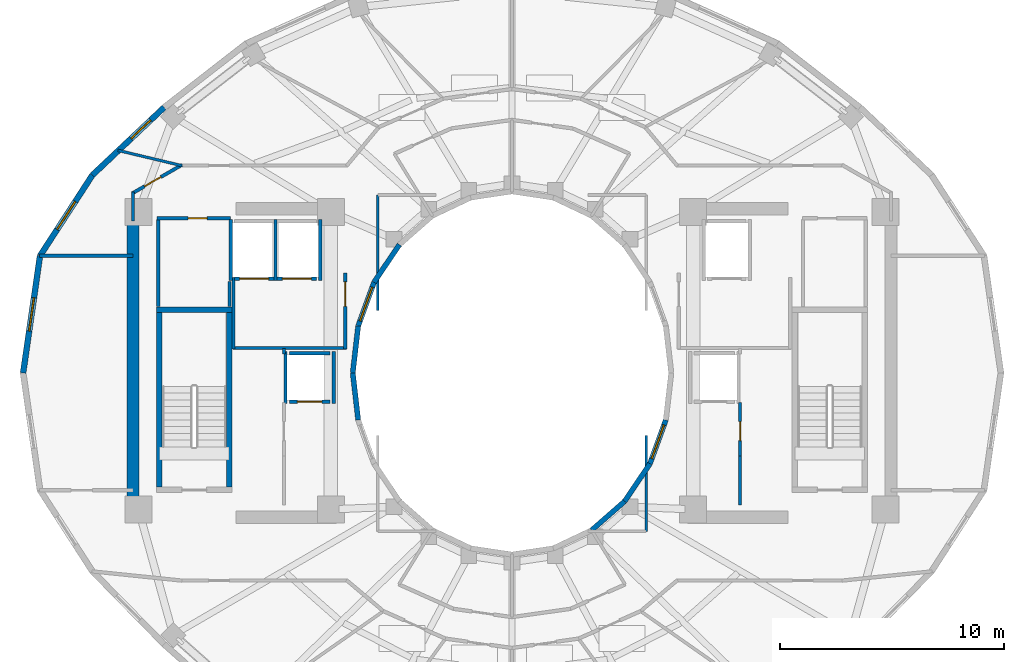
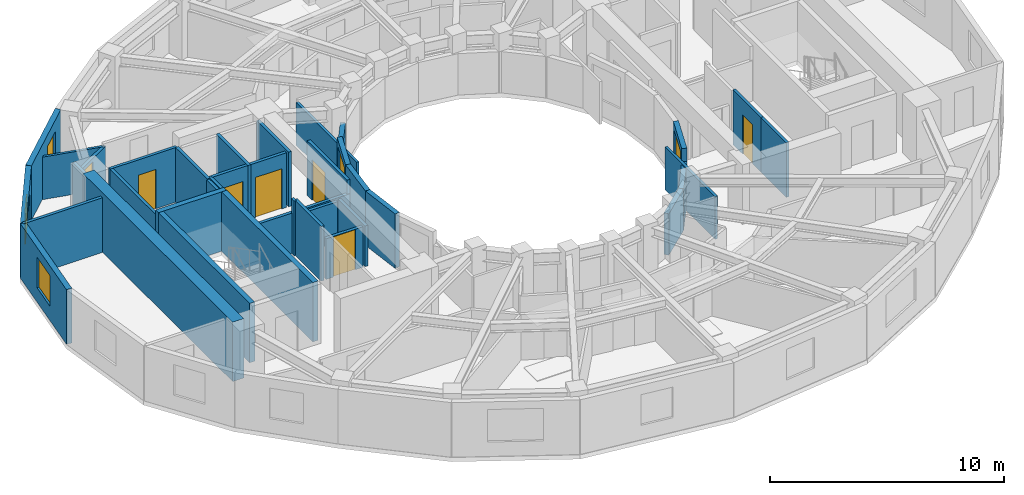
# One storey, part 4 of 9: 38 walls, 7 doors, 5 windows, 12 openings.
"""IFC4 building model written with IfcOpenShell, lengths in metres."""

import ifcopenshell
import ifcopenshell.guid

model = None  # the IFC model being written
_history = None  # IfcOwnerHistory: only IFC2X3 demands one
_inside = {}  # id of a spatial element -> (the spatial element, [elements in it])
_under = {}  # id of a project, library or spatial element -> (it, [spatial elements below it])
_declared = {}  # id of a project -> (the project, [libraries it declares])
_typed = {}  # id of a type object -> (the type object, [elements of that type])
_made_of = {}  # id of a material, layer set ... -> (it, [elements and type objects made of it])


def new_model(schema):
    """Start an empty IFC model of exactly this schema.

    Asked for "IFC4X3", IfcOpenShell would pick the latest addendum, in which some entities
    have other attributes; the version numbers below select the first issue.
    IFC2X3 requires an IfcOwnerHistory on every rooted entity: one is made here for all.
    """
    global model, _history
    if schema == "IFC4X3":
        model = ifcopenshell.file(schema_version=(4, 3, 0, 0))
    else:
        model = ifcopenshell.file(schema=schema)
    _inside.clear()
    _under.clear()
    _declared.clear()
    _typed.clear()
    _made_of.clear()
    _history = None
    if model.schema == "IFC2X3":
        org = make("IfcOrganization", Name="unknown")
        user = make(
            "IfcPersonAndOrganization",
            ThePerson=make("IfcPerson", FamilyName="unknown"),
            TheOrganization=org,
        )
        app = make(
            "IfcApplication",
            ApplicationDeveloper=org,
            Version="unknown",
            ApplicationFullName="unknown",
            ApplicationIdentifier="unknown",
        )
        _history = make(
            "IfcOwnerHistory",
            OwningUser=user,
            OwningApplication=app,
            ChangeAction="ADDED",
            CreationDate=0,
        )
    return model


def make(cls, **values):
    """One entity of the class cls with the attributes given. An attribute that is None is left unset."""
    return model.create_entity(
        cls, **{name: value for name, value in values.items() if value is not None}
    )


def rooted(cls, **values):
    """An entity with a GlobalId (a new one), such as an element, a storey or a relation."""
    return make(cls, GlobalId=ifcopenshell.guid.new(), OwnerHistory=_history, **values)


def si_unit(unit_type, name, prefix=None):
    """IfcSIUnit, for example si_unit("LENGTHUNIT", "METRE", prefix="MILLI")."""
    return make("IfcSIUnit", UnitType=unit_type, Prefix=prefix, Name=name)


def assignment(units):
    """IfcUnitAssignment: the units of a project."""
    return None if units is None else make("IfcUnitAssignment", Units=units)


def point(xyz):
    """IfcCartesianPoint."""
    return None if xyz is None else make("IfcCartesianPoint", Coordinates=xyz)


def direction(xyz):
    """IfcDirection."""
    return None if xyz is None else make("IfcDirection", DirectionRatios=xyz)


def frame(location, z_axis=None, x_axis=None):
    """IfcAxis2Placement3D, a coordinate frame: its origin and axes. An axis left out is left unset."""
    return make(
        "IfcAxis2Placement3D",
        Location=point(location),
        Axis=direction(z_axis),
        RefDirection=direction(x_axis),
    )


def frame_2d(location, x_axis=None):
    """IfcAxis2Placement2D, a coordinate frame in the plane: its origin and x axis."""
    return make(
        "IfcAxis2Placement2D", Location=point(location), RefDirection=direction(x_axis)
    )


def origin():
    """The frame at (0, 0, 0) with its axes left unset."""
    return frame((0.0, 0.0, 0.0))


def place(relative_to, where):
    """IfcLocalPlacement: puts the frame where relative to a parent placement (None: the world)."""
    return make(
        "IfcLocalPlacement", PlacementRelTo=relative_to, RelativePlacement=where
    )


def context(
    kind, dimensions, precision=None, world=None, true_north=None, identifier=None
):
    """IfcGeometricRepresentationContext, for example the 3D "Model" context."""
    return make(
        "IfcGeometricRepresentationContext",
        ContextIdentifier=identifier,
        ContextType=kind,
        CoordinateSpaceDimension=dimensions,
        Precision=precision,
        WorldCoordinateSystem=world,
        TrueNorth=true_north,
    )


def subcontext(parent, identifier, kind, view, scale=None):
    """IfcGeometricRepresentationSubContext, for example "Body" below "Model"."""
    return make(
        "IfcGeometricRepresentationSubContext",
        ContextIdentifier=identifier,
        ContextType=kind,
        ParentContext=parent,
        TargetScale=scale,
        TargetView=view,
    )


def project(units=None, contexts=None):
    """IfcProject with its units and contexts."""
    return rooted(
        "IfcProject",
        Name="project",
        RepresentationContexts=contexts,
        UnitsInContext=assignment(units),
    )


def spatial(cls, under=None, at=None, **own):
    """A site, building, storey or space (cls), placed at a placement, below another one or the project."""
    s = rooted(cls, ObjectPlacement=at, **own)
    if under is not None:
        _under.setdefault(under.id(), (under, []))[1].append(s)
    return s


def profile(cls, at=None, kind="AREA", **sizes):
    """A parametric profile (cls). Its sizes go by their IFC names, for example OverallWidth=200.0."""
    return make(cls, ProfileType=kind, Position=at, **sizes)


def rectangle(**sizes):
    """IfcRectangleProfileDef."""
    return profile("IfcRectangleProfileDef", **sizes)


def extrude(swept, where, along, depth):
    """IfcExtrudedAreaSolid: the profile swept, set in the frame where, extruded along a direction by depth."""
    return make(
        "IfcExtrudedAreaSolid",
        SweptArea=swept,
        Position=where,
        ExtrudedDirection=direction(along),
        Depth=depth,
    )


def shape(context_of_items, identifier, shape_type, items):
    """IfcShapeRepresentation: the items that make up one representation, for example the "Body"."""
    return make(
        "IfcShapeRepresentation",
        ContextOfItems=context_of_items,
        RepresentationIdentifier=identifier,
        RepresentationType=shape_type,
        Items=items,
    )


def material(Name=None, Category=None):
    """IfcMaterial."""
    return make("IfcMaterial", Name=Name, Category=Category)


def layer(
    of_material, thickness, ventilated=None, Name=None, Category=None, Priority=None
):
    """IfcMaterialLayer: one layer of a wall or slab, of a material (None: an air gap)."""
    return make(
        "IfcMaterialLayer",
        Material=of_material,
        LayerThickness=thickness,
        IsVentilated=ventilated,
        Name=Name,
        Category=Category,
        Priority=Priority,
    )


def layer_set(layers, Name=None):
    """IfcMaterialLayerSet."""
    return make("IfcMaterialLayerSet", MaterialLayers=layers, LayerSetName=Name)


def made_of(thing, what):
    """Note that an element or type object is made of a material, layer set ...; save() writes the relation."""
    if what is not None:
        _made_of.setdefault(what.id(), (what, []))[1].append(thing)
    return thing


def type_object(cls, material=None, **own):
    """A type object (cls), such as IfcWallType, which elements share."""
    return made_of(rooted(cls, **own), material)


def element(
    cls,
    number,
    at=None,
    inside=None,
    cuts=None,
    type_object=None,
    material=None,
    context=None,
    identifier="Body",
    shape_type=None,
    held_by="IfcProductDefinitionShape",
    body=None,
    shapes=None,
    **own,
):
    """One element of the class cls, such as IfcWall. Its Tag is "e" and its number.

    at: its placement. inside: the storey or other place that contains it. cuts: it is an
    opening in that element (IfcRelVoidsElement). A single representation is given by context,
    identifier, shape_type and body (its items); several are given by shapes. held_by: the class
    of the entity that holds the representations. save() writes the other relations.
    """
    e = rooted(cls, Tag="e%d" % number, ObjectPlacement=at, **own)
    if body is not None:
        shapes = [shape(context, identifier, shape_type, body)]
    if shapes is not None:
        e.Representation = make(held_by, Representations=shapes)
    if inside is not None:
        _inside.setdefault(inside.id(), (inside, []))[1].append(e)
    if cuts is not None:
        rooted(
            "IfcRelVoidsElement", RelatingBuildingElement=cuts, RelatedOpeningElement=e
        )
    if type_object is not None:
        _typed.setdefault(type_object.id(), (type_object, []))[1].append(e)
    return made_of(e, material)


def fill(opening, filler):
    """IfcRelFillsElement: the door or window that sits in an opening."""
    return rooted(
        "IfcRelFillsElement",
        RelatingOpeningElement=opening,
        RelatedBuildingElement=filler,
    )


def aggregate(whole, parts):
    """IfcRelAggregates: a whole, such as a stair, and the parts it consists of."""
    return rooted("IfcRelAggregates", RelatingObject=whole, RelatedObjects=parts)


def save(model, path):
    """Write the relations noted so far, then the file.

    IfcRelAggregates (storeys below a building ...), IfcRelContainedInSpatialStructure (elements
    in a storey), IfcRelDefinesByType, IfcRelAssociatesMaterial and IfcRelDeclares: one each for
    every whole, place, type object, material and project.
    """
    for whole, parts in _under.values():
        aggregate(whole, parts)
    for where, things in _inside.values():
        rooted(
            "IfcRelContainedInSpatialStructure",
            RelatedElements=things,
            RelatingStructure=where,
        )
    for kind, things in _typed.values():
        rooted("IfcRelDefinesByType", RelatedObjects=things, RelatingType=kind)
    for what, things in _made_of.values():
        rooted("IfcRelAssociatesMaterial", RelatedObjects=things, RelatingMaterial=what)
    for by, libraries in _declared.values():
        rooted("IfcRelDeclares", RelatingContext=by, RelatedDefinitions=libraries)
    model.write(path)


model = new_model("IFC4")

# Units and contexts
model_context = context("Model", 3, precision=1e-05, world=origin(), true_north=direction((0.0, 1.0)))
body_context = subcontext(model_context, "Body", "Model", "MODEL_VIEW")
ifc_project = project(units=[si_unit("LENGTHUNIT", "METRE"), si_unit("AREAUNIT", "SQUARE_METRE"), si_unit("VOLUMEUNIT", "CUBIC_METRE"), si_unit("PLANEANGLEUNIT", "RADIAN"), si_unit("MASSUNIT", "GRAM", prefix="KILO")], contexts=[model_context])

# Site, building, storey
site_placement = place(None, origin())
site = spatial("IfcSite", under=ifc_project, at=site_placement, CompositionType="ELEMENT")
building_placement = place(site_placement, origin())
building = spatial("IfcBuilding", under=site, at=building_placement, Name="Solvane Sanctuary Tower", CompositionType="ELEMENT")
storey_placement = place(building_placement, frame((0.0, 0.0, 232.60009765625)))
storey = spatial("IfcBuildingStorey", under=building, at=storey_placement, Name="L71", CompositionType="ELEMENT", Elevation=232.60009765625)

# Walls
ifc_material_1 = material(Name="Concrete C50/60", Category="concrete")
ifc_layer_1 = layer(ifc_material_1, 0.550048828125, Name="Concrete C50/60")
ifc_layer_set_1 = layer_set([ifc_layer_1], Name="Concrete C50/60")
wall_type_1 = type_object("IfcWallType", Name="Wall W-CORE-550", PredefinedType="SHEAR", material=ifc_layer_set_1)
wall_1_placement = place(storey_placement, frame((15.050048828125, 17.050048828125, 0.0), z_axis=(0.0, 0.0, 1.0), x_axis=(0.0, 1.0, 0.0)))
element("IfcWall", 1, at=wall_1_placement, inside=storey, type_object=wall_type_1, Name="L71 Core Shear Wall WC-W", PredefinedType="SHEAR", context=body_context, shape_type="SweptSolid", body=[
    extrude(rectangle(XDim=12.800048828125, YDim=0.550048828125, at=frame_2d((6.39990234375, 0.0))), origin(), (0.0, 0.0, 1.0), 3.099853515625),
])
ifc_material_2 = material(Name="Acoustic Gypsum Partition Board")
ifc_layer_2 = layer(ifc_material_2, 0.14990234375, Name="Acoustic Gypsum Partition Board")
ifc_layer_set_2 = layer_set([ifc_layer_2], Name="Acoustic Gypsum Partition Board")
wall_type_2 = type_object("IfcWallType", Name="Wall W-CORR-150", PredefinedType="PARTITIONING", material=ifc_layer_set_2)
wall_2_placement = place(storey_placement, frame((19.52001953125, 24.1201171875, 0.0), z_axis=(0.0, 0.0, 1.0), x_axis=(1.0, 0.0, 0.0)))
element("IfcWall", 2, at=wall_2_placement, inside=storey, type_object=wall_type_2, Name="L71 West Firefighting Lobby South Wall", PredefinedType="PARTITIONING", context=body_context, shape_type="SweptSolid", body=[
    extrude(rectangle(XDim=5.080078125, YDim=0.14990234375, at=frame_2d((2.5400390625, 0.0))), origin(), (0.0, 0.0, 1.0), 2.119873046875),
])
wall_3_placement = place(storey_placement, frame((19.550048828125, 24.080078125, 0.0), z_axis=(0.0, 0.0, 1.0), x_axis=(0.0, 1.0, 0.0)))
element("IfcWall", 3, at=wall_3_placement, inside=storey, type_object=wall_type_2, Name="L71 West Firefighting Lobby West Wall", PredefinedType="PARTITIONING", context=body_context, shape_type="SweptSolid", body=[
    extrude(rectangle(XDim=3.199951171875, YDim=0.14990234375, at=frame_2d((1.60009765625, 0.0))), origin(), (0.0, 0.0, 1.0), 2.85498046875),
])

# Wall, opening, door
wall_4_placement = place(storey_placement, frame((24.550048828125, 24.080078125, 0.0), z_axis=(0.0, 0.0, 1.0), x_axis=(0.0, 1.0, 0.0)))
wall_4 = element("IfcWall", 4, at=wall_4_placement, inside=storey, type_object=wall_type_2, Name="L71 West Firefighting Lobby East Wall", PredefinedType="PARTITIONING", context=body_context, shape_type="SweptSolid", body=[
    extrude(rectangle(XDim=3.39990234375, YDim=0.14990234375, at=frame_2d((1.699951171875, 0.0))), origin(), (0.0, 0.0, 1.0), 2.85498046875),
])
opening_1_placement = place(wall_4_placement, frame((1.893798828125, 0.0, 0.0)))
opening_1 = element("IfcOpeningElement", 5, at=opening_1_placement, cuts=wall_4, Name="Opening D-L71-03", PredefinedType="OPENING", context=body_context, shape_type="SweptSolid", body=[
    extrude(rectangle(XDim=1.10009765625, YDim=2.10009765625, at=frame_2d((0.550048828125, 1.050048828125))), frame((0.0, 0.0849609375, 0.0), z_axis=(0.0, -1.0, 0.0), x_axis=(1.0, 0.0, 0.0)), (0.0, 0.0, 1.0), 0.169921875),
])
ifc_material_3 = material(Name="Architectural Stainless Steel 316", Category="steel")
door_type_1 = type_object("IfcDoorType", Name="Door D-FFL", OperationType="NOTDEFINED", PredefinedType="DOOR", material=ifc_material_3)
door_1_placement = place(opening_1_placement, origin())
door_1 = element("IfcDoor", 6, at=door_1_placement, inside=storey, type_object=door_type_1, Name="L71 West Firefighting Lobby Fire Door", OperationType="SINGLE_SWING_RIGHT", OverallHeight=2.10009765625, OverallWidth=1.10009765625, PredefinedType="DOOR", context=body_context, shape_type="SweptSolid", body=[
    extrude(rectangle(XDim=1.10009765625, YDim=2.10009765625, at=frame_2d((0.550048828125, 1.050048828125))), frame((0.0, 0.02490234375, 0.0), z_axis=(0.0, -1.0, 0.0), x_axis=(1.0, 0.0, 0.0)), (0.0, 0.0, 1.0), 0.050048828125),
])
fill(opening_1, door_1)

# Walls
wall_5_placement = place(storey_placement, frame((10.87548828125, 28.245361328125, 0.0), z_axis=(0.0, 0.0, 1.0), x_axis=(1.0, 0.0, 0.0)))
element("IfcWall", 7, at=wall_5_placement, inside=storey, type_object=wall_type_2, Name="L71 West Shoulder North Wall", PredefinedType="PARTITIONING", context=body_context, shape_type="SweptSolid", body=[
    extrude(rectangle(XDim=4.174560546875, YDim=0.14990234375, at=frame_2d((2.08740234375, 0.0))), origin(), (0.0, 0.0, 1.0), 2.85498046875),
])
wall_6_placement = place(storey_placement, frame((15.050048828125, 29.800048828125, 0.0), z_axis=(0.0, 0.0, 1.0), x_axis=(0.0, 1.0, 0.0)))
element("IfcWall", 8, at=wall_6_placement, inside=storey, type_object=wall_type_2, Name="L71 NW Corner Closer 1", PredefinedType="PARTITIONING", context=body_context, shape_type="SweptSolid", body=[
    extrude(rectangle(XDim=1.2900390625, YDim=0.14990234375, at=frame_2d((0.64501953125, 0.0))), origin(), (0.0, 0.0, 1.0), 2.85498046875),
])

# Wall, opening, door
wall_7_placement = place(storey_placement, frame((17.243408203125, 32.3046875, 0.0), z_axis=(0.0, 0.0, 1.0), x_axis=(-0.867991349648, -0.496579315857, 0.0)))
wall_7 = element("IfcWall", 9, at=wall_7_placement, inside=storey, type_object=wall_type_2, Name="L71 NW Corner Wing Wall", PredefinedType="PARTITIONING", context=body_context, shape_type="SweptSolid", body=[
    extrude(rectangle(XDim=2.56689453125, YDim=0.14990234375, at=frame_2d((1.283447265625, 0.0))), origin(), (0.0, 0.0, 1.0), 2.219970703125),
])
opening_2_placement = place(wall_7_placement, frame((1.085693359375, 0.0, 0.0)))
opening_2 = element("IfcOpeningElement", 10, at=opening_2_placement, cuts=wall_7, Name="Opening D-L71-17", PredefinedType="OPENING", context=body_context, shape_type="SweptSolid", body=[
    extrude(rectangle(XDim=0.85009765625, YDim=2.050048828125, at=frame_2d((0.425048828125, 1.02490234375))), frame((0.0, 0.0849609375, 0.0), z_axis=(0.0, -1.0, 0.0), x_axis=(1.0, 0.0, 0.0)), (0.0, 0.0, 1.0), 0.169921875),
])
door_type_2 = type_object("IfcDoorType", Name="Door D-RISER", OperationType="NOTDEFINED", PredefinedType="DOOR", material=ifc_material_3)
door_2_placement = place(opening_2_placement, origin())
door_2 = element("IfcDoor", 11, at=door_2_placement, inside=storey, type_object=door_type_2, Name="L71 NW Corner Suite Door", OperationType="SINGLE_SWING_RIGHT", OverallHeight=2.050048828125, OverallWidth=0.85009765625, PredefinedType="DOOR", context=body_context, shape_type="SweptSolid", body=[
    extrude(rectangle(XDim=0.85009765625, YDim=2.050048828125, at=frame_2d((0.425048828125, 1.02490234375))), frame((0.0, 0.02490234375, 0.0), z_axis=(0.0, -1.0, 0.0), x_axis=(1.0, 0.0, 0.0)), (0.0, 0.0, 1.0), 0.050048828125),
])
fill(opening_2, door_2)

# Wall, opening, window
ifc_material_4 = material(Name="Precast concrete C40/50", Category="concrete")
ifc_layer_3 = layer(ifc_material_4, 0.260009765625, Name="Precast concrete C40/50")
ifc_layer_set_3 = layer_set([ifc_layer_3], Name="Precast concrete C40/50")
wall_type_3 = type_object("IfcWallType", Name="Wall W-EXT-250", PredefinedType="STANDARD", material=ifc_layer_set_3)
wall_8_placement = place(storey_placement, frame((16.4423828125, 34.8720703125, 0.0), z_axis=(0.0, 0.0, 1.0), x_axis=(-0.72731899451, -0.686299555752, 0.0)))
wall_8 = element("IfcWall", 12, at=wall_8_placement, inside=storey, type_object=wall_type_3, Name="L71 Ceramic-Printed Facade Wall 09", PredefinedType="STANDARD", context=body_context, shape_type="SweptSolid", body=[
    extrude(rectangle(XDim=4.404296875, YDim=0.260009765625, at=frame_2d((2.2021484375, 0.0))), origin(), (0.0, 0.0, 1.0), 2.849853515625),
])
opening_3_placement = place(wall_8_placement, frame((0.826904296875, 0.0, 0.75)))
opening_3 = element("IfcOpeningElement", 13, at=opening_3_placement, cuts=wall_8, Name="Opening WN-OPER-1200", PredefinedType="OPENING", context=body_context, shape_type="SweptSolid", body=[
    extrude(rectangle(XDim=1.199951171875, YDim=1.5, at=frame_2d((0.60009765625, 0.75))), frame((0.0, 0.139892578125, 0.0), z_axis=(0.0, -1.0, 0.0), x_axis=(1.0, 0.0, 0.0)), (0.0, 0.0, 1.0), 0.280029296875),
])
ifc_material_5 = material(Name="Dark Ceramic-Fritted Low-E Glass", Category="glass")
window_type_1 = type_object("IfcWindowType", Name="Window WN-OPER-1200", PartitioningType="SINGLE_PANEL", PredefinedType="WINDOW", material=ifc_material_5)
window_1_placement = place(opening_3_placement, origin())
window_1 = element("IfcWindow", 14, at=window_1_placement, inside=storey, type_object=window_type_1, Name="L71 Operable Facade Window 09", OverallHeight=1.5, OverallWidth=1.199951171875, PartitioningType="SINGLE_PANEL", PredefinedType="WINDOW", context=body_context, shape_type="SweptSolid", body=[
    extrude(rectangle(XDim=1.199951171875, YDim=1.5, at=frame_2d((0.60009765625, 0.75))), frame((0.0, 0.030029296875, 0.0), z_axis=(0.0, -1.0, 0.0), x_axis=(1.0, 0.0, 0.0)), (0.0, 0.0, 1.0), 0.06005859375),
])
fill(opening_3, window_1)

wall_9_placement = place(storey_placement, frame((13.239013671875, 31.849365234375, 0.0), z_axis=(0.0, 0.0, 1.0), x_axis=(-0.544475908819, -0.838776480784, 0.0)))
wall_9 = element("IfcWall", 15, at=wall_9_placement, inside=storey, type_object=wall_type_3, Name="L71 Ceramic-Printed Facade Wall 10", PredefinedType="STANDARD", context=body_context, shape_type="SweptSolid", body=[
    extrude(rectangle(XDim=4.3046875, YDim=0.260009765625, at=frame_2d((2.15234375, 0.0))), origin(), (0.0, 0.0, 1.0), 2.849853515625),
])
opening_4_placement = place(wall_9_placement, frame((1.40234375, 0.0, 0.75)))
opening_4 = element("IfcOpeningElement", 16, at=opening_4_placement, cuts=wall_9, Name="Opening WN-OPER-1500", PredefinedType="OPENING", context=body_context, shape_type="SweptSolid", body=[
    extrude(rectangle(XDim=1.5, YDim=1.60009765625, at=frame_2d((0.75, 0.800048828125))), frame((0.0, 0.139892578125, 0.0), z_axis=(0.0, -1.0, 0.0), x_axis=(1.0, 0.0, 0.0)), (0.0, 0.0, 1.0), 0.280029296875),
])
window_type_2 = type_object("IfcWindowType", Name="Window WN-OPER-1500", PartitioningType="SINGLE_PANEL", PredefinedType="WINDOW", material=ifc_material_5)
window_2_placement = place(opening_4_placement, origin())
window_2 = element("IfcWindow", 17, at=window_2_placement, inside=storey, type_object=window_type_2, Name="L71 Operable Facade Window 10", OverallHeight=1.60009765625, OverallWidth=1.5, PartitioningType="SINGLE_PANEL", PredefinedType="WINDOW", context=body_context, shape_type="SweptSolid", body=[
    extrude(rectangle(XDim=1.5, YDim=1.60009765625, at=frame_2d((0.75, 0.800048828125))), frame((0.0, 0.030029296875, 0.0), z_axis=(0.0, -1.0, 0.0), x_axis=(1.0, 0.0, 0.0)), (0.0, 0.0, 1.0), 0.06005859375),
])
fill(opening_4, window_2)

wall_10_placement = place(storey_placement, frame((10.895263671875, 28.23876953125, 0.0), z_axis=(0.0, 0.0, 1.0), x_axis=(-0.142712754019, -0.989764148593, 0.0)))
wall_10 = element("IfcWall", 18, at=wall_10_placement, inside=storey, type_object=wall_type_3, Name="L71 Ceramic-Printed Facade Wall 11", PredefinedType="STANDARD", context=body_context, shape_type="SweptSolid", body=[
    extrude(rectangle(XDim=5.29296875, YDim=0.260009765625, at=frame_2d((2.646484375, 0.0))), origin(), (0.0, 0.0, 1.0), 2.849853515625),
])
opening_5_placement = place(wall_10_placement, frame((1.896484375, 0.0, 0.75)))
opening_5 = element("IfcOpeningElement", 19, at=opening_5_placement, cuts=wall_10, Name="Opening WN-OPER-1500", PredefinedType="OPENING", context=body_context, shape_type="SweptSolid", body=[
    extrude(rectangle(XDim=1.5, YDim=1.60009765625, at=frame_2d((0.75, 0.800048828125))), frame((0.0, 0.139892578125, 0.0), z_axis=(0.0, -1.0, 0.0), x_axis=(1.0, 0.0, 0.0)), (0.0, 0.0, 1.0), 0.280029296875),
])
window_3_placement = place(opening_5_placement, origin())
window_3 = element("IfcWindow", 20, at=window_3_placement, inside=storey, type_object=window_type_2, Name="L71 Operable Facade Window 11", OverallHeight=1.60009765625, OverallWidth=1.5, PartitioningType="SINGLE_PANEL", PredefinedType="WINDOW", context=body_context, shape_type="SweptSolid", body=[
    extrude(rectangle(XDim=1.5, YDim=1.60009765625, at=frame_2d((0.75, 0.800048828125))), frame((0.0, 0.030029296875, 0.0), z_axis=(0.0, -1.0, 0.0), x_axis=(1.0, 0.0, 0.0)), (0.0, 0.0, 1.0), 0.06005859375),
])
fill(opening_5, window_3)

# Wall
ifc_layer_4 = layer(ifc_material_4, 0.22998046875, Name="Precast concrete C40/50")
ifc_layer_set_4 = layer_set([ifc_layer_4], Name="Precast concrete C40/50")
wall_type_4 = type_object("IfcWallType", Name="Wall W-EXT-SP220", PredefinedType="STANDARD", material=ifc_layer_set_4)
wall_11_placement = place(storey_placement, frame((26.96533203125, 28.74169921875, 0.0), z_axis=(0.0, 0.0, 1.0), x_axis=(-0.558197800898, -0.829707909492, 0.0)))
element("IfcWall", 21, at=wall_11_placement, inside=storey, type_object=wall_type_4, Name="L71 Central Light-Well Wall 09", PredefinedType="STANDARD", context=body_context, shape_type="SweptSolid", body=[
    extrude(rectangle(XDim=2.02685546875, YDim=0.22998046875, at=frame_2d((1.013427734375, 0.0))), origin(), (0.0, 0.0, 1.0), 2.159912109375),
])

# Wall, opening, window
wall_12_placement = place(storey_placement, frame((25.833984375, 27.06005859375, 0.0), z_axis=(0.0, 0.0, 1.0), x_axis=(-0.341423187295, -0.93990968033, 0.0)))
wall_12 = element("IfcWall", 22, at=wall_12_placement, inside=storey, type_object=wall_type_4, Name="L71 Central Light-Well Wall 10", PredefinedType="STANDARD", context=body_context, shape_type="SweptSolid", body=[
    extrude(rectangle(XDim=2.083740234375, YDim=0.22998046875, at=frame_2d((1.0419921875, 0.0))), origin(), (0.0, 0.0, 1.0), 2.83984375),
])
opening_6_placement = place(wall_12_placement, frame((0.24169921875, 0.0, 0.85009765625)))
opening_6 = element("IfcOpeningElement", 23, at=opening_6_placement, cuts=wall_12, Name="Opening WN-WELL-1600", PredefinedType="OPENING", context=body_context, shape_type="SweptSolid", body=[
    extrude(rectangle(XDim=1.60009765625, YDim=1.64990234375, at=frame_2d((0.800048828125, 0.824951171875))), frame((0.0, 0.125, 0.0), z_axis=(0.0, -1.0, 0.0), x_axis=(1.0, 0.0, 0.0)), (0.0, 0.0, 1.0), 0.25),
])
ifc_material_6 = material(Name="Clear Laminated Light-Well Glass", Category="glass")
window_type_3 = type_object("IfcWindowType", Name="Window WN-WELL-1600", PartitioningType="SINGLE_PANEL", PredefinedType="WINDOW", material=ifc_material_6)
window_4_placement = place(opening_6_placement, origin())
window_4 = element("IfcWindow", 24, at=window_4_placement, inside=storey, type_object=window_type_3, Name="L71 Light-Well Daylight Window 10", OverallHeight=1.64990234375, OverallWidth=1.60009765625, PartitioningType="SINGLE_PANEL", PredefinedType="WINDOW", context=body_context, shape_type="SweptSolid", body=[
    extrude(rectangle(XDim=1.60009765625, YDim=1.64990234375, at=frame_2d((0.800048828125, 0.824951171875))), frame((0.0, 0.030029296875, 0.0), z_axis=(0.0, -1.0, 0.0), x_axis=(1.0, 0.0, 0.0)), (0.0, 0.0, 1.0), 0.06005859375),
])
fill(opening_6, window_4)

# Walls
for number, where, z_axis, x_axis, name in (
    (25, (25.12255859375, 25.1015625, 0.0), (0.0, 0.0, 1.0), (-0.114711713601, -0.993398823617, 0.0), "L71 Central Light-Well Wall 11"),
    (26, (24.8798828125, 23.0, 0.0), (0.0, 0.0, 1.0), (0.114711713601, -0.993398823617, 0.0), "L71 Central Light-Well Wall 12"),
):
    element("IfcWall", number, at=place(storey_placement, frame(where, z_axis=z_axis, x_axis=x_axis)), inside=storey, type_object=wall_type_4, Name=name, PredefinedType="STANDARD", context=body_context, shape_type="SweptSolid", body=[
        extrude(rectangle(XDim=2.115478515625, YDim=0.22998046875, at=frame_2d((1.0576171875, 0.0))), origin(), (0.0, 0.0, 1.0), 2.83984375),
    ])
wall_13_placement = place(storey_placement, frame((35.56005859375, 15.968017578125, 0.0), z_axis=(0.0, 0.0, 1.0), x_axis=(0.752576694707, 0.658504607869, 0.0)))
element("IfcWall", 27, at=wall_13_placement, inside=storey, type_object=wall_type_4, Name="L71 Central Light-Well Wall 20", PredefinedType="STANDARD", context=body_context, shape_type="SweptSolid", body=[
    extrude(rectangle(XDim=1.95947265625, YDim=0.22998046875, at=frame_2d((0.979736328125, 0.0))), origin(), (0.0, 0.0, 1.0), 2.159912109375),
])
wall_14_placement = place(storey_placement, frame((37.03466796875, 17.25830078125, 0.0), z_axis=(0.0, 0.0, 1.0), x_axis=(0.558197800898, 0.829707909492, 0.0)))
element("IfcWall", 28, at=wall_14_placement, inside=storey, type_object=wall_type_4, Name="L71 Central Light-Well Wall 21", PredefinedType="STANDARD", context=body_context, shape_type="SweptSolid", body=[
    extrude(rectangle(XDim=2.02685546875, YDim=0.22998046875, at=frame_2d((1.013427734375, 0.0))), origin(), (0.0, 0.0, 1.0), 2.159912109375),
])

# Wall, opening, window
wall_15_placement = place(storey_placement, frame((38.166015625, 18.93994140625, 0.0), z_axis=(0.0, 0.0, 1.0), x_axis=(0.341423187295, 0.93990968033, 0.0)))
wall_15 = element("IfcWall", 29, at=wall_15_placement, inside=storey, type_object=wall_type_4, Name="L71 Central Light-Well Wall 22", PredefinedType="STANDARD", context=body_context, shape_type="SweptSolid", body=[
    extrude(rectangle(XDim=2.083740234375, YDim=0.22998046875, at=frame_2d((1.0419921875, 0.0))), origin(), (0.0, 0.0, 1.0), 2.83984375),
])
opening_7_placement = place(wall_15_placement, frame((0.24169921875, 0.0, 0.85009765625)))
opening_7 = element("IfcOpeningElement", 30, at=opening_7_placement, cuts=wall_15, Name="Opening WN-WELL-1600", PredefinedType="OPENING", context=body_context, shape_type="SweptSolid", body=[
    extrude(rectangle(XDim=1.60009765625, YDim=1.64990234375, at=frame_2d((0.800048828125, 0.824951171875))), frame((0.0, 0.125, 0.0), z_axis=(0.0, -1.0, 0.0), x_axis=(1.0, 0.0, 0.0)), (0.0, 0.0, 1.0), 0.25),
])
window_5_placement = place(opening_7_placement, origin())
window_5 = element("IfcWindow", 31, at=window_5_placement, inside=storey, type_object=window_type_3, Name="L71 Light-Well Daylight Window 22", OverallHeight=1.64990234375, OverallWidth=1.60009765625, PartitioningType="SINGLE_PANEL", PredefinedType="WINDOW", context=body_context, shape_type="SweptSolid", body=[
    extrude(rectangle(XDim=1.60009765625, YDim=1.64990234375, at=frame_2d((0.800048828125, 0.824951171875))), frame((0.0, 0.030029296875, 0.0), z_axis=(0.0, -1.0, 0.0), x_axis=(1.0, 0.0, 0.0)), (0.0, 0.0, 1.0), 0.06005859375),
])
fill(opening_7, window_5)

# Walls
ifc_layer_5 = layer(ifc_material_2, 0.1201171875, Name="Acoustic Gypsum Partition Board")
ifc_layer_set_5 = layer_set([ifc_layer_5], Name="Acoustic Gypsum Partition Board")
wall_type_5 = type_object("IfcWallType", Name="Wall W-MOV-100", PredefinedType="MOVABLE", material=ifc_layer_set_5)
wall_16_placement = place(storey_placement, frame((17.24853515625, 32.268310546875, 0.0), z_axis=(0.0, 0.0, 1.0), x_axis=(-0.972648835931, 0.232280524286, 0.0)))
element("IfcWall", 32, at=wall_16_placement, inside=storey, type_object=wall_type_5, Name="L71 NW Corner Suite Partition", PredefinedType="MOVABLE", context=body_context, shape_type="SweptSolid", body=[
    extrude(rectangle(XDim=2.950439453125, YDim=0.1201171875, at=frame_2d((1.47509765625, 0.0))), origin(), (0.0, 0.0, 1.0), 2.219970703125),
])
ifc_layer_6 = layer(ifc_material_2, 0.125, Name="Acoustic Gypsum Partition Board")
ifc_layer_set_6 = layer_set([ifc_layer_6], Name="Acoustic Gypsum Partition Board")
wall_type_6 = type_object("IfcWallType", Name="Wall W-PART-125", PredefinedType="PARTITIONING", material=ifc_layer_set_6)
wall_17_placement = place(storey_placement, frame((21.800048828125, 23.85009765625, 0.0), z_axis=(0.0, 0.0, 1.0), x_axis=(0.0, 1.0, 0.0)))
element("IfcWall", 33, at=wall_17_placement, inside=storey, type_object=wall_type_6, Name="L71 Reclaimed Room Dividing Wall PMW", PredefinedType="PARTITIONING", context=body_context, shape_type="SweptSolid", body=[
    extrude(rectangle(XDim=0.25, YDim=0.125, at=frame_2d((0.125, 0.0))), origin(), (0.0, 0.0, 1.0), 2.85498046875),
])

# Wall, opening, door
wall_18_placement = place(storey_placement, frame((42.199951171875, 19.280029296875, 0.0), z_axis=(0.0, 0.0, 1.0), x_axis=(0.0, 1.0, 0.0)))
wall_18 = element("IfcWall", 34, at=wall_18_placement, inside=storey, type_object=wall_type_6, Name="L71 Reclaimed Room Partition PME", PredefinedType="PARTITIONING", context=body_context, shape_type="SweptSolid", body=[
    extrude(rectangle(XDim=2.39990234375, YDim=0.125, at=frame_2d((1.199951171875, 0.0))), origin(), (0.0, 0.0, 1.0), 2.85498046875),
])
opening_8_placement = place(wall_18_placement, frame((0.699951171875, 0.0, 0.0)))
opening_8 = element("IfcOpeningElement", 35, at=opening_8_placement, cuts=wall_18, Name="Opening D-L71-06", PredefinedType="OPENING", context=body_context, shape_type="SweptSolid", body=[
    extrude(rectangle(XDim=0.85009765625, YDim=2.050048828125, at=frame_2d((0.425048828125, 1.02490234375))), frame((0.0, 0.072509765625, 0.0), z_axis=(0.0, -1.0, 0.0), x_axis=(1.0, 0.0, 0.0)), (0.0, 0.0, 1.0), 0.14501953125),
])
door_3_placement = place(opening_8_placement, origin())
door_3 = element("IfcDoor", 36, at=door_3_placement, inside=storey, type_object=door_type_2, Name="L71 Reclaimed Room Door PME-1", OperationType="SINGLE_SWING_LEFT", OverallHeight=2.050048828125, OverallWidth=0.85009765625, PredefinedType="DOOR", context=body_context, shape_type="SweptSolid", body=[
    extrude(rectangle(XDim=0.85009765625, YDim=2.050048828125, at=frame_2d((0.425048828125, 1.02490234375))), frame((0.0, 0.02490234375, 0.0), z_axis=(0.0, -1.0, 0.0), x_axis=(1.0, 0.0, 0.0)), (0.0, 0.0, 1.0), 0.050048828125),
])
fill(opening_8, door_3)

# Walls
wall_19_placement = place(storey_placement, frame((42.199951171875, 17.10009765625, 0.0), z_axis=(0.0, 0.0, 1.0), x_axis=(0.0, 1.0, 0.0)))
element("IfcWall", 37, at=wall_19_placement, inside=storey, type_object=wall_type_6, Name="L71 Reclaimed Room Closer Wall PME-1", PredefinedType="PARTITIONING", context=body_context, shape_type="SweptSolid", body=[
    extrude(rectangle(XDim=2.179931640625, YDim=0.125, at=frame_2d((1.08984375, 0.0))), origin(), (0.0, 0.0, 1.0), 2.85498046875),
])
wall_20_placement = place(storey_placement, frame((26.0, 25.800048828125, 0.0), z_axis=(0.0, 0.0, 1.0), x_axis=(0.0, 1.0, 0.0)))
element("IfcWall", 38, at=wall_20_placement, inside=storey, type_object=wall_type_6, Name="L71 Bridge Alcove Wall 1", PredefinedType="PARTITIONING", context=body_context, shape_type="SweptSolid", body=[
    extrude(rectangle(XDim=5.159912109375, YDim=0.125, at=frame_2d((2.580078125, 0.0))), origin(), (0.0, 0.0, 1.0), 2.23193359375),
])
wall_21_placement = place(storey_placement, frame((38.0, 15.919921875, 0.0), z_axis=(0.0, 0.0, 1.0), x_axis=(0.0, 1.0, 0.0)))
element("IfcWall", 39, at=wall_21_placement, inside=storey, type_object=wall_type_6, Name="L71 Bridge Alcove Wall 7", PredefinedType="PARTITIONING", context=body_context, shape_type="SweptSolid", body=[
    extrude(rectangle(XDim=4.280029296875, YDim=0.125, at=frame_2d((2.14013671875, 0.0))), origin(), (0.0, 0.0, 1.0), 2.23193359375),
])

# Wall, opening, door
ifc_layer_7 = layer(ifc_material_1, 0.14990234375, Name="Concrete C50/60")
ifc_layer_set_7 = layer_set([ifc_layer_7], Name="Concrete C50/60")
wall_type_7 = type_object("IfcWallType", Name="Wall W-SHAFT-150", PredefinedType="SOLIDWALL", material=ifc_layer_set_7)
wall_22_placement = place(storey_placement, frame((22.0400390625, 21.719970703125, 0.0), z_axis=(0.0, 0.0, 1.0), x_axis=(1.0, 0.0, 0.0)))
wall_22 = element("IfcWall", 40, at=wall_22_placement, inside=storey, type_object=wall_type_7, Name="L71 PH-1 Lift Shaft Wall F", PredefinedType="SOLIDWALL", context=body_context, shape_type="SweptSolid", body=[
    extrude(rectangle(XDim=1.820068359375, YDim=0.14990234375, at=frame_2d((0.91015625, 0.0))), origin(), (0.0, 0.0, 1.0), 2.119873046875),
])
opening_9_placement = place(wall_22_placement, frame((0.360107421875, 0.0, 0.0)))
opening_9 = element("IfcOpeningElement", 41, at=opening_9_placement, cuts=wall_22, Name="Opening LD-L71-01", PredefinedType="OPENING", context=body_context, shape_type="SweptSolid", body=[
    extrude(rectangle(XDim=1.10009765625, YDim=2.10009765625, at=frame_2d((0.550048828125, 1.050048828125))), frame((0.0, 0.0849609375, 0.0), z_axis=(0.0, -1.0, 0.0), x_axis=(1.0, 0.0, 0.0)), (0.0, 0.0, 1.0), 0.169921875),
])
door_type_3 = type_object("IfcDoorType", Name="Door LD-PASS-1100", OperationType="NOTDEFINED", PredefinedType="DOOR", material=ifc_material_3)
door_4_placement = place(opening_9_placement, origin())
door_4 = element("IfcDoor", 42, at=door_4_placement, inside=storey, type_object=door_type_3, Name="L71 PH-1 Lift Landing Door", OperationType="DOUBLE_DOOR_SLIDING", OverallHeight=2.10009765625, OverallWidth=1.10009765625, PredefinedType="DOOR", context=body_context, shape_type="SweptSolid", body=[
    extrude(rectangle(XDim=1.10009765625, YDim=2.10009765625, at=frame_2d((0.550048828125, 1.050048828125))), frame((0.0, 0.02490234375, 0.0), z_axis=(0.0, -1.0, 0.0), x_axis=(1.0, 0.0, 0.0)), (0.0, 0.0, 1.0), 0.050048828125),
])
fill(opening_9, door_4)

# Walls
wall_23_placement = place(storey_placement, frame((22.0400390625, 23.8798828125, 0.0), z_axis=(0.0, 0.0, 1.0), x_axis=(1.0, 0.0, 0.0)))
element("IfcWall", 43, at=wall_23_placement, inside=storey, type_object=wall_type_7, Name="L71 PH-1 Lift Shaft Wall B", PredefinedType="SOLIDWALL", context=body_context, shape_type="SweptSolid", body=[
    extrude(rectangle(XDim=1.820068359375, YDim=0.14990234375, at=frame_2d((0.91015625, 0.0))), origin(), (0.0, 0.0, 1.0), 2.119873046875),
])
wall_24_placement = place(storey_placement, frame((21.8701171875, 21.639892578125, 0.0), z_axis=(0.0, 0.0, 1.0), x_axis=(0.0, 1.0, 0.0)))
element("IfcWall", 44, at=wall_24_placement, inside=storey, type_object=wall_type_7, Name="L71 PH-1 Lift Shaft Wall S1", PredefinedType="SOLIDWALL", context=body_context, shape_type="SweptSolid", body=[
    extrude(rectangle(XDim=2.320068359375, YDim=0.14990234375, at=frame_2d((1.16015625, 0.0))), origin(), (0.0, 0.0, 1.0), 2.85498046875),
])
wall_25_placement = place(storey_placement, frame((24.030029296875, 21.639892578125, 0.0), z_axis=(0.0, 0.0, 1.0), x_axis=(0.0, 1.0, 0.0)))
element("IfcWall", 45, at=wall_25_placement, inside=storey, type_object=wall_type_7, Name="L71 PH-1 Lift Shaft Wall S2", PredefinedType="SOLIDWALL", context=body_context, shape_type="SweptSolid", body=[
    extrude(rectangle(XDim=2.320068359375, YDim=0.14990234375, at=frame_2d((1.16015625, 0.0))), origin(), (0.0, 0.0, 1.0), 2.119873046875),
])

# Wall, opening, door
wall_26_placement = place(storey_placement, frame((19.590087890625, 27.219970703125, 0.0), z_axis=(0.0, 0.0, 1.0), x_axis=(1.0, 0.0, 0.0)))
wall_26 = element("IfcWall", 46, at=wall_26_placement, inside=storey, type_object=wall_type_7, Name="L71 FFL-1 Lift Shaft Wall F", PredefinedType="SOLIDWALL", context=body_context, shape_type="SweptSolid", body=[
    extrude(rectangle(XDim=1.760009765625, YDim=0.14990234375, at=frame_2d((0.8798828125, 0.0))), origin(), (0.0, 0.0, 1.0), 2.85498046875),
])
opening_10_placement = place(wall_26_placement, frame((0.22998046875, 0.0, 0.0)))
opening_10 = element("IfcOpeningElement", 47, at=opening_10_placement, cuts=wall_26, Name="Opening LD-L71-03", PredefinedType="OPENING", context=body_context, shape_type="SweptSolid", body=[
    extrude(rectangle(XDim=1.300048828125, YDim=2.10009765625, at=frame_2d((0.64990234375, 1.050048828125))), frame((0.0, 0.0849609375, 0.0), z_axis=(0.0, -1.0, 0.0), x_axis=(1.0, 0.0, 0.0)), (0.0, 0.0, 1.0), 0.169921875),
])
door_type_4 = type_object("IfcDoorType", Name="Door LD-FFL-1300", OperationType="NOTDEFINED", PredefinedType="DOOR", material=ifc_material_3)
door_5_placement = place(opening_10_placement, origin())
door_5 = element("IfcDoor", 48, at=door_5_placement, inside=storey, type_object=door_type_4, Name="L71 FFL-1 Lift Landing Door", OperationType="DOUBLE_DOOR_SLIDING", OverallHeight=2.10009765625, OverallWidth=1.300048828125, PredefinedType="DOOR", context=body_context, shape_type="SweptSolid", body=[
    extrude(rectangle(XDim=1.300048828125, YDim=2.10009765625, at=frame_2d((0.64990234375, 1.050048828125))), frame((0.0, 0.02490234375, 0.0), z_axis=(0.0, -1.0, 0.0), x_axis=(1.0, 0.0, 0.0)), (0.0, 0.0, 1.0), 0.050048828125),
])
fill(opening_10, door_5)

# Walls
for number, where, z_axis, x_axis, name in (
    (49, (19.419921875, 27.139892578125, 0.0), (0.0, 0.0, 1.0), (0.0, 1.0, 0.0), "L71 FFL-1 Lift Shaft Wall S1"),
    (50, (21.425048828125, 27.139892578125, 0.0), (0.0, 0.0, 1.0), (0.0, 1.0, 0.0), "L71 FFL-1 Lift Shaft Wall S2"),
):
    element("IfcWall", number, at=place(storey_placement, frame(where, z_axis=z_axis, x_axis=x_axis)), inside=storey, type_object=wall_type_7, Name=name, PredefinedType="SOLIDWALL", context=body_context, shape_type="SweptSolid", body=[
        extrude(rectangle(XDim=2.72021484375, YDim=0.14990234375, at=frame_2d((1.360107421875, 0.0))), origin(), (0.0, 0.0, 1.0), 2.85498046875),
    ])

# Wall, opening, door
wall_27_placement = place(storey_placement, frame((21.5, 27.219970703125, 0.0), z_axis=(0.0, 0.0, 1.0), x_axis=(1.0, 0.0, 0.0)))
wall_27 = element("IfcWall", 51, at=wall_27_placement, inside=storey, type_object=wall_type_7, Name="L71 SVL-1 Lift Shaft Wall F", PredefinedType="SOLIDWALL", context=body_context, shape_type="SweptSolid", body=[
    extrude(rectangle(XDim=1.760009765625, YDim=0.14990234375, at=frame_2d((0.8798828125, 0.0))), origin(), (0.0, 0.0, 1.0), 2.85498046875),
])
opening_11_placement = place(wall_27_placement, frame((0.22998046875, 0.0, 0.0)))
opening_11 = element("IfcOpeningElement", 52, at=opening_11_placement, cuts=wall_27, Name="Opening LD-L71-04", PredefinedType="OPENING", context=body_context, shape_type="SweptSolid", body=[
    extrude(rectangle(XDim=1.300048828125, YDim=2.10009765625, at=frame_2d((0.64990234375, 1.050048828125))), frame((0.0, 0.0849609375, 0.0), z_axis=(0.0, -1.0, 0.0), x_axis=(1.0, 0.0, 0.0)), (0.0, 0.0, 1.0), 0.169921875),
])
door_6_placement = place(opening_11_placement, origin())
door_6 = element("IfcDoor", 53, at=door_6_placement, inside=storey, type_object=door_type_4, Name="L71 SVL-1 Lift Landing Door", OperationType="DOUBLE_DOOR_SLIDING", OverallHeight=2.10009765625, OverallWidth=1.300048828125, PredefinedType="DOOR", context=body_context, shape_type="SweptSolid", body=[
    extrude(rectangle(XDim=1.300048828125, YDim=2.10009765625, at=frame_2d((0.64990234375, 1.050048828125))), frame((0.0, 0.02490234375, 0.0), z_axis=(0.0, -1.0, 0.0), x_axis=(1.0, 0.0, 0.0)), (0.0, 0.0, 1.0), 0.050048828125),
])
fill(opening_11, door_6)

# Walls
wall_28_placement = place(storey_placement, frame((23.429931640625, 27.139892578125, 0.0), z_axis=(0.0, 0.0, 1.0), x_axis=(0.0, 1.0, 0.0)))
element("IfcWall", 54, at=wall_28_placement, inside=storey, type_object=wall_type_7, Name="L71 SVL-1 Lift Shaft Wall S2", PredefinedType="SOLIDWALL", context=body_context, shape_type="SweptSolid", body=[
    extrude(rectangle(XDim=2.72021484375, YDim=0.14990234375, at=frame_2d((1.360107421875, 0.0))), origin(), (0.0, 0.0, 1.0), 2.85498046875),
])
ifc_layer_8 = layer(ifc_material_1, 0.25, Name="Concrete C50/60")
ifc_layer_set_8 = layer_set([ifc_layer_8], Name="Concrete C50/60")
wall_type_8 = type_object("IfcWallType", Name="Wall W-SHAFT-250", PredefinedType="SOLIDWALL", material=ifc_layer_set_8)
wall_29_placement = place(storey_placement, frame((16.10498046875, 25.830078125, 0.0), z_axis=(0.0, 0.0, 1.0), x_axis=(1.0, 0.0, 0.0)))
element("IfcWall", 55, at=wall_29_placement, inside=storey, type_object=wall_type_8, Name="L71 ST-1 Load-Bearing Shaft Wall N", PredefinedType="SOLIDWALL", context=body_context, shape_type="SweptSolid", body=[
    extrude(rectangle(XDim=3.3701171875, YDim=0.25, at=frame_2d((1.68505859375, 0.0))), origin(), (0.0, 0.0, 1.0), 3.099853515625),
])
for number, where, z_axis, x_axis, name in (
    (56, (16.22998046875, 17.89501953125, 0.0), (0.0, 0.0, 1.0), (0.0, 1.0, 0.0), "L71 ST-1 Load-Bearing Shaft Wall W"),
    (57, (19.35009765625, 17.89501953125, 0.0), (0.0, 0.0, 1.0), (0.0, 1.0, 0.0), "L71 ST-1 Load-Bearing Shaft Wall E"),
):
    element("IfcWall", number, at=place(storey_placement, frame(where, z_axis=z_axis, x_axis=x_axis)), inside=storey, type_object=wall_type_8, Name=name, PredefinedType="SOLIDWALL", context=body_context, shape_type="SweptSolid", body=[
        extrude(rectangle(XDim=7.81005859375, YDim=0.25, at=frame_2d((3.905029296875, 0.0))), origin(), (0.0, 0.0, 1.0), 3.099853515625),
    ])

# Wall, opening, door
ifc_layer_9 = layer(ifc_material_2, 0.139892578125, Name="Acoustic Gypsum Partition Board")
ifc_layer_set_9 = layer_set([ifc_layer_9], Name="Acoustic Gypsum Partition Board")
wall_type_9 = type_object("IfcWallType", Name="Wall W-WET-140", PredefinedType="PLUMBINGWALL", material=ifc_layer_set_9)
wall_30_placement = place(storey_placement, frame((16.1201171875, 29.919921875, 0.0), z_axis=(0.0, 0.0, 1.0), x_axis=(1.0, 0.0, 0.0)))
wall_30 = element("IfcWall", 58, at=wall_30_placement, inside=storey, type_object=wall_type_9, Name="L71 Core Service Front Wall KW0", PredefinedType="PLUMBINGWALL", context=body_context, shape_type="SweptSolid", body=[
    extrude(rectangle(XDim=3.2998046875, YDim=0.139892578125, at=frame_2d((1.64990234375, 0.0))), origin(), (0.0, 0.0, 1.0), 2.85498046875),
])
opening_12_placement = place(wall_30_placement, frame((1.3994140625, 0.0, 0.0)))
opening_12 = element("IfcOpeningElement", 59, at=opening_12_placement, cuts=wall_30, Name="Opening D-L71-07", PredefinedType="OPENING", context=body_context, shape_type="SweptSolid", body=[
    extrude(rectangle(XDim=0.85009765625, YDim=2.050048828125, at=frame_2d((0.425048828125, 1.02490234375))), frame((0.0, 0.079833984375, 0.0), z_axis=(0.0, -1.0, 0.0), x_axis=(1.0, 0.0, 0.0)), (0.0, 0.0, 1.0), 0.159912109375),
])
door_7_placement = place(opening_12_placement, origin())
door_7 = element("IfcDoor", 60, at=door_7_placement, inside=storey, type_object=door_type_2, Name="L71 Core Service Room Door KW0-1", OperationType="SINGLE_SWING_RIGHT", OverallHeight=2.050048828125, OverallWidth=0.85009765625, PredefinedType="DOOR", context=body_context, shape_type="SweptSolid", body=[
    extrude(rectangle(XDim=0.85009765625, YDim=2.050048828125, at=frame_2d((0.425048828125, 1.02490234375))), frame((0.0, 0.02490234375, 0.0), z_axis=(0.0, -1.0, 0.0), x_axis=(1.0, 0.0, 0.0)), (0.0, 0.0, 1.0), 0.050048828125),
])
fill(opening_12, door_7)

# Walls
wall_31_placement = place(storey_placement, frame((16.179931640625, 25.97998046875, 0.0), z_axis=(0.0, 0.0, 1.0), x_axis=(0.0, 1.0, 0.0)))
element("IfcWall", 61, at=wall_31_placement, inside=storey, type_object=wall_type_9, Name="L71 Core Service Side Wall KW0-1", PredefinedType="PLUMBINGWALL", context=body_context, shape_type="SweptSolid", body=[
    extrude(rectangle(XDim=3.880126953125, YDim=0.139892578125, at=frame_2d((1.93994140625, 0.0))), origin(), (0.0, 0.0, 1.0), 2.85498046875),
])
wall_32_placement = place(storey_placement, frame((19.360107421875, 25.97998046875, 0.0), z_axis=(0.0, 0.0, 1.0), x_axis=(0.0, 1.0, 0.0)))
element("IfcWall", 62, at=wall_32_placement, inside=storey, type_object=wall_type_9, Name="L71 Core Service Side Wall KW0-2", PredefinedType="PLUMBINGWALL", context=body_context, shape_type="SweptSolid", body=[
    extrude(rectangle(XDim=1.1201171875, YDim=0.139892578125, at=frame_2d((0.56005859375, 0.0))), origin(), (0.0, 0.0, 1.0), 2.85498046875),
])

save(model, "model.ifc")
